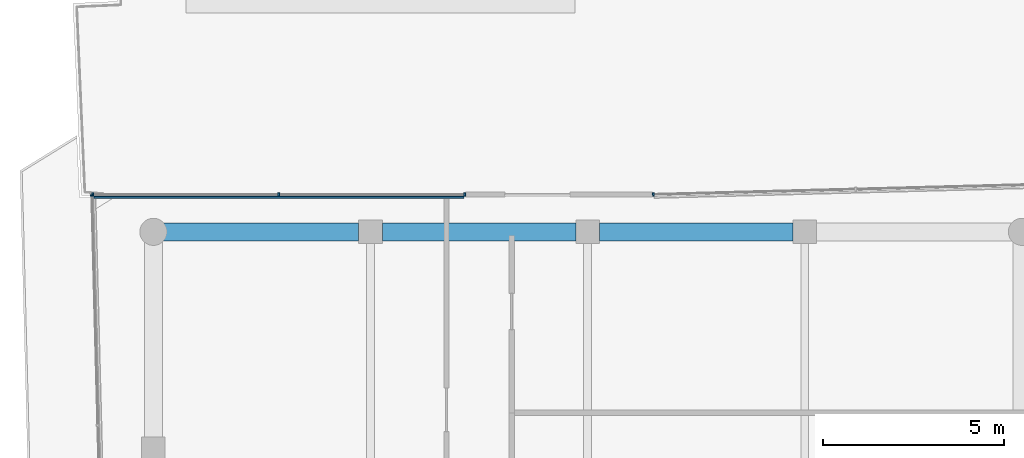
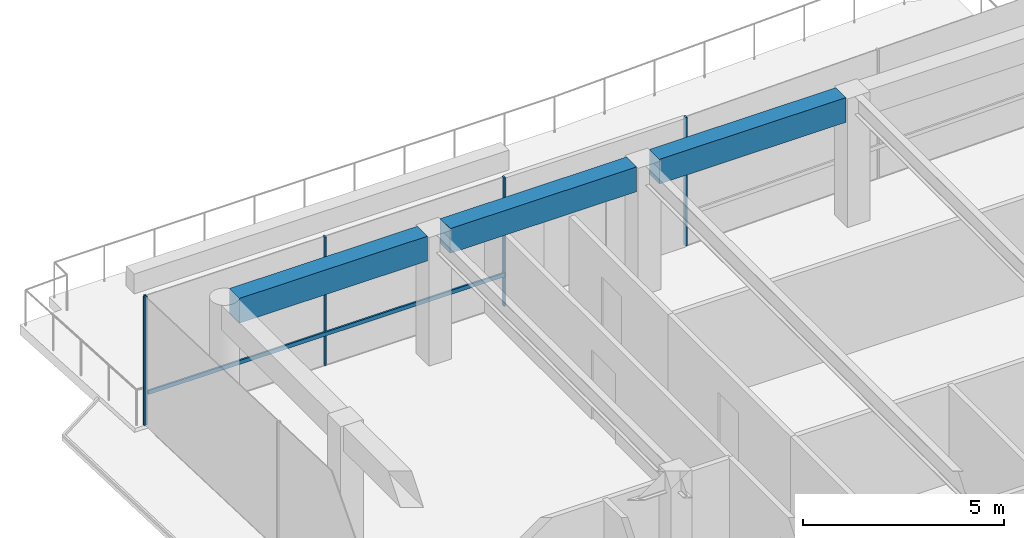
# One storey, part 13 of 20: 6 members, 3 beams, 3 elements without a shape of their own.
"""IFC4 building model written with IfcOpenShell, lengths in metres."""

from ifc_helpers import new_model, si_unit, direction, frame, origin, origin_2d, place, context, subcontext, project, spatial, rectangle, extrude, material, layer, layer_set, material_profile, profile_set, type_object, element, aggregate, save


model = new_model("IFC4")

# Units and contexts
model_context = context("Model", 3, precision=1e-05, world=origin(), true_north=direction((0.0, 1.0)))
body_context = subcontext(model_context, "Body", "Model", "MODEL_VIEW")
ifc_project = project(units=[si_unit("LENGTHUNIT", "METRE"), si_unit("AREAUNIT", "SQUARE_METRE"), si_unit("VOLUMEUNIT", "CUBIC_METRE"), si_unit("PLANEANGLEUNIT", "RADIAN"), si_unit("MASSUNIT", "GRAM", prefix="KILO")], contexts=[model_context])

# Site, building, storey
site_placement = place(None, origin())
site = spatial("IfcSite", under=ifc_project, at=site_placement, CompositionType="ELEMENT")
building_placement = place(site_placement, origin())
building = spatial("IfcBuilding", under=site, at=building_placement, Name="Welwitschia Terrace Campus", CompositionType="ELEMENT")
storey_placement = place(building_placement, frame((0.0, 0.0, 327.199951171875)))
storey = spatial("IfcBuildingStorey", under=building, at=storey_placement, Name="L73", CompositionType="ELEMENT", Elevation=327.199951171875)

# Curtain wall, member
ifc_material_1 = material(Name="Bronze anodised aluminium", Category="aluminium")
ifc_layer = layer(ifc_material_1, 0.10009765625)
ifc_layer_set = layer_set([ifc_layer], Name="Bronze anodised aluminium")
curtain_wall_type = type_object("IfcCurtainWallType", Name="Curtain wall CW5 crown 6000", PredefinedType="NOTDEFINED", material=ifc_layer_set)
curtain_wall_1_placement = place(storey_placement, origin())
curtain_wall_1 = element("IfcCurtainWall", 1, at=curtain_wall_1_placement, inside=storey, type_object=curtain_wall_type, Name="CW L73.8.0", PredefinedType="NOTDEFINED")
ifc_material_2 = material(Name="Bronze anodised aluminium", Category="aluminium")
ifc_material_profile_1 = material_profile(ifc_material_2, rectangle(XDim=0.10009765625, YDim=0.050048828125, at=origin_2d()))
ifc_profile_set_1 = profile_set([ifc_material_profile_1], Name="Bronze anodised aluminium")
member_type_1 = type_object("IfcMemberType", Name="Mullion 50x100", PredefinedType="MULLION", material=ifc_profile_set_1)
member_1_placement = place(storey_placement, frame((13.817138671875, 45.03076171875, 0.0), z_axis=(0.0, 0.0, 1.0), x_axis=(0.026176948308, -0.999657324976, 0.0)))
member_1 = element("IfcMember", 2, at=member_1_placement, type_object=member_type_1, Name="Mullion L73.8.0.2", PredefinedType="MULLION", context=body_context, shape_type="SweptSolid", body=[
    extrude(rectangle(XDim=0.10009765625, YDim=0.050048828125, at=origin_2d()), origin(), (0.0, 0.0, 1.0), 3.900146484375),
])
aggregate(curtain_wall_1, [member_1])

# Curtain wall, members
curtain_wall_2_placement = place(storey_placement, origin())
curtain_wall_2 = element("IfcCurtainWall", 3, at=curtain_wall_2_placement, inside=storey, type_object=curtain_wall_type, Name="CW L73.9.1", PredefinedType="NOTDEFINED")
member_2_placement = place(storey_placement, frame((8.60400390625, 45.030029296875, 0.0), z_axis=(0.0, 0.0, 1.0), x_axis=(0.0, -1.0, 0.0)))
member_2 = element("IfcMember", 4, at=member_2_placement, type_object=member_type_1, Name="Mullion L73.9.1.0", PredefinedType="MULLION", context=body_context, shape_type="SweptSolid", body=[
    extrude(rectangle(XDim=0.10009765625, YDim=0.050048828125, at=origin_2d()), origin(), (0.0, 0.0, 1.0), 3.900146484375),
])
member_3_placement = place(storey_placement, frame((3.4658203125, 45.030029296875, 0.0), z_axis=(0.0, 0.0, 1.0), x_axis=(0.0, -1.0, 0.0)))
member_3 = element("IfcMember", 5, at=member_3_placement, type_object=member_type_1, Name="Mullion L73.9.1.1", PredefinedType="MULLION", context=body_context, shape_type="SweptSolid", body=[
    extrude(rectangle(XDim=0.10009765625, YDim=0.050048828125, at=origin_2d()), origin(), (0.0, 0.0, 1.0), 3.900146484375),
])
member_4_placement = place(storey_placement, frame((-1.672119140625, 45.030029296875, 0.0), z_axis=(0.0, 0.0, 1.0), x_axis=(0.0, -1.0, 0.0)))
member_4 = element("IfcMember", 6, at=member_4_placement, type_object=member_type_1, Name="Mullion L73.9.1.2", PredefinedType="MULLION", context=body_context, shape_type="SweptSolid", body=[
    extrude(rectangle(XDim=0.10009765625, YDim=0.050048828125, at=origin_2d()), origin(), (0.0, 0.0, 1.0), 3.900146484375),
])

# Curtain wall, member
curtain_wall_3_placement = place(storey_placement, origin())
curtain_wall_3 = element("IfcCurtainWall", 7, at=curtain_wall_3_placement, inside=storey, type_object=curtain_wall_type, Name="CW L73.10.0", PredefinedType="NOTDEFINED")
member_5_placement = place(storey_placement, frame((-1.696533203125, 45.005126953125, 0.0), z_axis=(0.0, 0.0, 1.0), x_axis=(0.999657324976, 0.026176948308, 0.0)))
member_5 = element("IfcMember", 8, at=member_5_placement, type_object=member_type_1, Name="Mullion L73.10.0.0", PredefinedType="MULLION", context=body_context, shape_type="SweptSolid", body=[
    extrude(rectangle(XDim=0.10009765625, YDim=0.050048828125, at=origin_2d()), origin(), (0.0, 0.0, 1.0), 3.900146484375),
])
aggregate(curtain_wall_3, [member_5])

# Beams
ifc_material_3 = material(Name="Concrete C40/50", Category="concrete")
ifc_material_profile_2 = material_profile(ifc_material_3, rectangle(XDim=0.5, YDim=0.75, at=origin_2d()))
ifc_profile_set_2 = profile_set([ifc_material_profile_2], Name="Concrete C40/50")
beam_type = type_object("IfcBeamType", Name="Ring spandrel 500x750", PredefinedType="SPANDREL", material=ifc_profile_set_2)
for number, where, z_axis, x_axis, name in (
    (9, (17.674560546875, 44.0, 3.525146484375), (-1.0, 0.0, 0.0), (0.0, -1.0, 0.0), "Spandrel SP5"),
    (10, (11.674560546875, 44.0, 3.525146484375), (-1.0, 0.0, 0.0), (0.0, -1.0, 0.0), "Spandrel SP5"),
):
    element("IfcBeam", number, at=place(storey_placement, frame(where, z_axis=z_axis, x_axis=x_axis)), inside=storey, type_object=beam_type, Name=name, PredefinedType="SPANDREL", context=body_context, shape_type="SweptSolid", body=[
        extrude(rectangle(XDim=0.5, YDim=0.75, at=origin_2d()), origin(), (0.0, 0.0, 1.0), 5.34912109375),
    ])
beam_placement = place(storey_placement, frame((5.674560546875, 44.0, 3.525146484375), z_axis=(-1.0, 0.0, 0.0), x_axis=(0.0, -1.0, 0.0)))
element("IfcBeam", 11, at=beam_placement, inside=storey, type_object=beam_type, Name="Spandrel SP5", PredefinedType="SPANDREL", context=body_context, shape_type="SweptSolid", body=[
    extrude(rectangle(XDim=0.5, YDim=0.75, at=origin_2d()), origin(), (0.0, 0.0, 1.0), 5.39404296875),
])

# Member
ifc_material_4 = material(Name="Bronze anodised aluminium", Category="aluminium")
ifc_material_profile_3 = material_profile(ifc_material_4, rectangle(XDim=0.050048828125, YDim=0.1201171875, at=origin_2d()))
ifc_profile_set_3 = profile_set([ifc_material_profile_3], Name="Bronze anodised aluminium")
member_type_2 = type_object("IfcMemberType", Name="Transom 50x120", PredefinedType="USERDEFINED", material=ifc_profile_set_3)
member_6_placement = place(storey_placement, frame((8.5791015625, 44.955078125, 1.0), z_axis=(-1.0, 0.0, 0.0), x_axis=(0.0, -1.0, 0.0)))
member_6 = element("IfcMember", 12, at=member_6_placement, type_object=member_type_2, Name="Transom L73.9.1", ObjectType="TRANSOM", PredefinedType="USERDEFINED", context=body_context, shape_type="SweptSolid", body=[
    extrude(rectangle(XDim=0.050048828125, YDim=0.1201171875, at=origin_2d()), origin(), (0.0, 0.0, 1.0), 10.226318359375),
])

aggregate(curtain_wall_2, [member_2, member_3, member_4, member_6])

save(model, "model.ifc")
